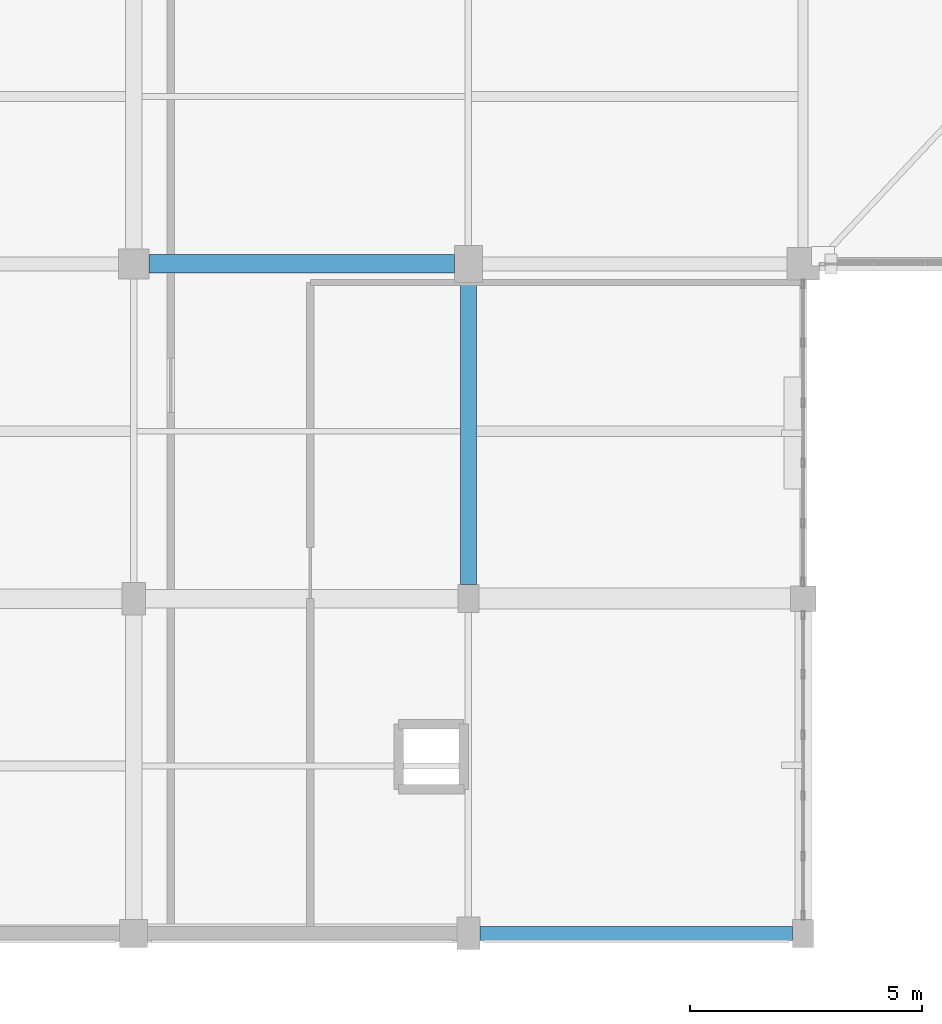
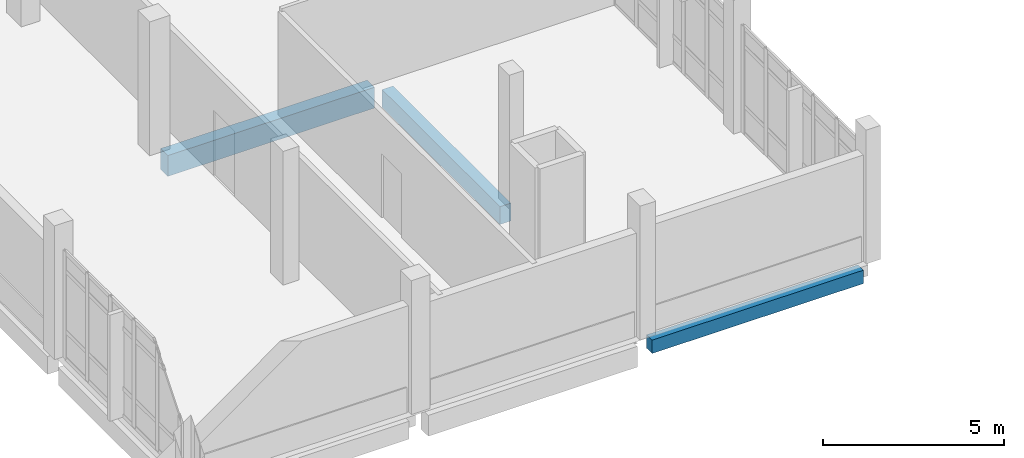
# One storey, part 12 of 116: 3 beams.
"""IFC4 building model written with IfcOpenShell, lengths in metres."""

from ifc_helpers import new_model, si_unit, direction, frame, origin, origin_2d, place, context, subcontext, project, spatial, rectangle, extrude, material, material_profile, profile_set, type_object, element, save


model = new_model("IFC4")

# Units and contexts
model_context = context("Model", 3, precision=1e-05, world=origin(), true_north=direction((0.0, 1.0)))
body_context = subcontext(model_context, "Body", "Model", "MODEL_VIEW")
ifc_project = project(units=[si_unit("LENGTHUNIT", "METRE"), si_unit("AREAUNIT", "SQUARE_METRE"), si_unit("VOLUMEUNIT", "CUBIC_METRE"), si_unit("PLANEANGLEUNIT", "RADIAN"), si_unit("MASSUNIT", "GRAM", prefix="KILO")], contexts=[model_context])

# Site, building, storey
site_placement = place(None, origin())
site = spatial("IfcSite", under=ifc_project, at=site_placement, CompositionType="ELEMENT")
building_placement = place(site_placement, origin())
building = spatial("IfcBuilding", under=site, at=building_placement, Name="Kalluvel Institute of Natural Sciences", CompositionType="ELEMENT")
storey_placement = place(building_placement, frame((0.0, 0.0, 14.39990234375)))
storey = spatial("IfcBuildingStorey", under=building, at=storey_placement, Name="L03", CompositionType="ELEMENT", Elevation=14.39990234375)

# Beams
ifc_material = material(Name="Concrete M40", Category="concrete")
ifc_material_profile_1 = material_profile(ifc_material, rectangle(XDim=0.35009765625, YDim=0.60009765625, at=origin_2d()), Name="RCB 350x600")
ifc_profile_set_1 = profile_set([ifc_material_profile_1], Name="Concrete M40")
beam_type_1 = type_object("IfcBeamType", Name="BM-RC350x600", PredefinedType="BEAM", material=ifc_profile_set_1)
beam_1_placement = place(storey_placement, frame((28.39990234375, 21.5, -0.599853515625), z_axis=(0.0, 1.0, 0.0), x_axis=(-1.0, 0.0, 0.0)))
element("IfcBeam", 1, at=beam_1_placement, inside=storey, type_object=beam_type_1, Name="L03 girder GIR-L03-NS-X284-Y212", PredefinedType="BEAM", context=body_context, shape_type="SweptSolid", body=[
    extrude(rectangle(XDim=0.35009765625, YDim=0.60009765625, at=origin_2d()), origin(), (0.0, 0.0, 1.0), 6.5),
])
ifc_material_profile_2 = material_profile(ifc_material, rectangle(XDim=0.300048828125, YDim=0.449951171875, at=origin_2d()), Name="RCB 300x450")
ifc_profile_set_2 = profile_set([ifc_material_profile_2], Name="Concrete M40")
beam_type_2 = type_object("IfcBeamType", Name="SP-RC300x450", PredefinedType="SPANDREL", material=ifc_profile_set_2)
beam_2_placement = place(storey_placement, frame((28.64990234375, 14.0, -0.52490234375), z_axis=(1.0, 0.0, 0.0), x_axis=(0.0, 1.0, 0.0)))
element("IfcBeam", 2, at=beam_2_placement, inside=storey, type_object=beam_type_2, Name="L03 girder GIR-L03-EW-X284-Y140", PredefinedType="SPANDREL", context=body_context, shape_type="SweptSolid", body=[
    extrude(rectangle(XDim=0.300048828125, YDim=0.449951171875, at=origin_2d()), origin(), (0.0, 0.0, 1.0), 6.72509765625),
])
ifc_material_profile_3 = material_profile(ifc_material, rectangle(XDim=0.39990234375, YDim=0.699951171875, at=origin_2d()), Name="RCB 400x700")
ifc_profile_set_3 = profile_set([ifc_material_profile_3], Name="Concrete M40")
beam_type_3 = type_object("IfcBeamType", Name="SP-RC400x700", PredefinedType="SPANDREL", material=ifc_profile_set_3)
beam_3_placement = place(storey_placement, frame((21.52490234375, 28.39990234375, -0.64990234375), z_axis=(1.0, 0.0, 0.0), x_axis=(0.0, 1.0, 0.0)))
element("IfcBeam", 3, at=beam_3_placement, inside=storey, type_object=beam_type_3, Name="L03 girder GIR-L03-EW-X212-Y284", PredefinedType="SPANDREL", context=body_context, shape_type="SweptSolid", body=[
    extrude(rectangle(XDim=0.39990234375, YDim=0.699951171875, at=origin_2d()), origin(), (0.0, 0.0, 1.0), 6.5751953125),
])

save(model, "model.ifc")
